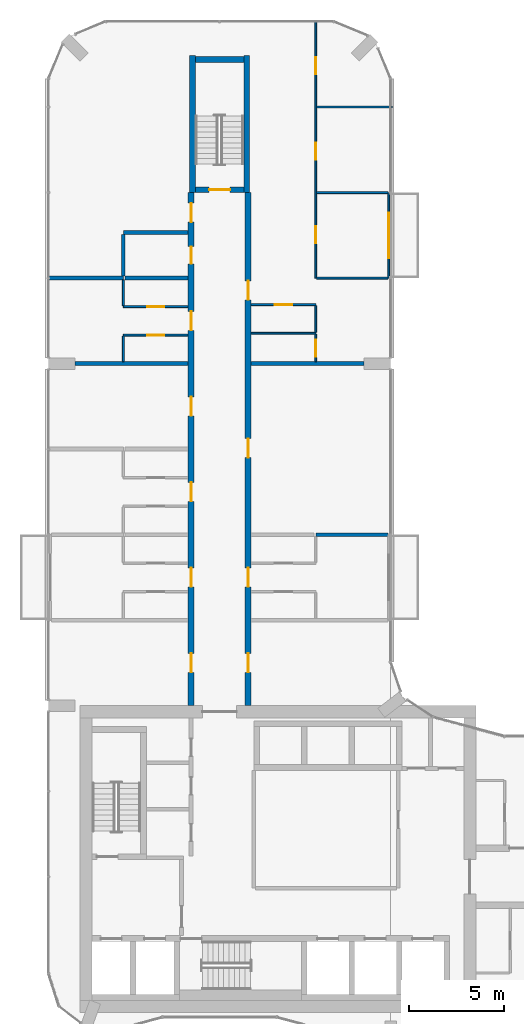
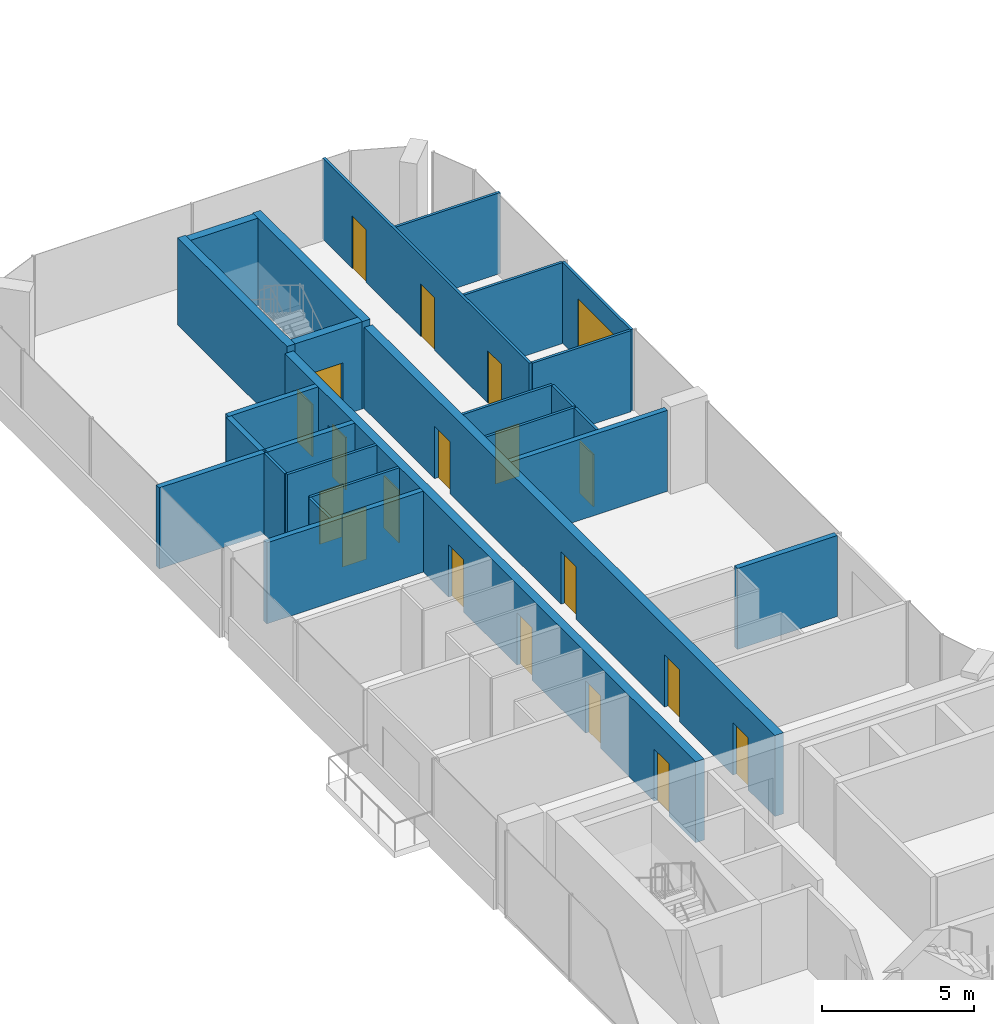
# One storey, part 16 of 22: 26 walls, 20 doors, 20 openings.
"""IFC4 building model written with IfcOpenShell, lengths in metres."""

from ifc_helpers import new_model, si_unit, direction, frame, frame_2d, origin, place, context, subcontext, project, spatial, rectangle, extrude, material, layer, layer_set, type_object, element, fill, save


model = new_model("IFC4")

# Units and contexts
model_context = context("Model", 3, precision=1e-05, world=origin(), true_north=direction((0.0, 1.0)))
body_context = subcontext(model_context, "Body", "Model", "MODEL_VIEW")
ifc_project = project(units=[si_unit("LENGTHUNIT", "METRE"), si_unit("AREAUNIT", "SQUARE_METRE"), si_unit("VOLUMEUNIT", "CUBIC_METRE"), si_unit("PLANEANGLEUNIT", "RADIAN"), si_unit("MASSUNIT", "GRAM", prefix="KILO")], contexts=[model_context])

# Site, building, storey
site_placement = place(None, origin())
site = spatial("IfcSite", under=ifc_project, at=site_placement, CompositionType="ELEMENT")
building_placement = place(site_placement, origin())
building = spatial("IfcBuilding", under=site, at=building_placement, Name="Plateau Cross Towers", CompositionType="ELEMENT")
storey_placement = place(building_placement, frame((0.0, 0.0, 106.300048828125)))
storey = spatial("IfcBuildingStorey", under=building, at=storey_placement, Name="L27", CompositionType="ELEMENT", Elevation=106.300048828125)

# Wall, opening, door
ifc_material_1 = material(Name="Aluminium framed glazing", Category="aluminium")
ifc_layer_1 = layer(ifc_material_1, 0.10009765625)
ifc_layer_set_1 = layer_set([ifc_layer_1], Name="Aluminium framed glazing")
wall_type_1 = type_object("IfcWallType", Name="Balcony screen wall 100", PredefinedType="STANDARD", material=ifc_layer_set_1)
wall_1_placement = place(storey_placement, frame((17.89990234375, 45.0, 0.0), z_axis=(0.0, 0.0, 1.0), x_axis=(0.0, -1.0, 0.0)))
wall_1 = element("IfcWall", 1, at=wall_1_placement, inside=storey, type_object=wall_type_1, Name="Balcony screen wall A-BAL-L27-03", PredefinedType="STANDARD", context=body_context, shape_type="SweptSolid", body=[
    extrude(rectangle(XDim=4.5, YDim=0.10009765625, at=frame_2d((2.25, 0.0))), origin(), (0.0, 0.0, 1.0), 3.25),
])
opening_1_placement = place(wall_1_placement, frame((1.050048828125, 0.0, 0.0)))
opening_1 = element("IfcOpeningElement", 2, at=opening_1_placement, cuts=wall_1, Name="Opening D-B24", PredefinedType="OPENING", context=body_context, shape_type="SweptSolid", body=[
    extrude(rectangle(XDim=2.39990234375, YDim=2.39990234375, at=frame_2d((1.199951171875, 1.199951171875))), frame((0.0, 0.06005859375, 0.0), z_axis=(0.0, -1.0, 0.0), x_axis=(1.0, 0.0, 0.0)), (0.0, 0.0, 1.0), 0.1201171875),
])
ifc_material_2 = material(Name="Aluminium frame, double glazing", Category="aluminium")
door_type_1 = type_object("IfcDoorType", Name="Balcony sliding door 2400", OperationType="NOTDEFINED", PredefinedType="DOOR", material=ifc_material_2)
door_1_placement = place(opening_1_placement, origin())
door_1 = element("IfcDoor", 3, at=door_1_placement, inside=storey, type_object=door_type_1, Name="Balcony door A-BAL-L27-03", OperationType="SINGLE_SWING_LEFT", OverallHeight=2.39990234375, OverallWidth=2.39990234375, PredefinedType="DOOR", context=body_context, shape_type="SweptSolid", body=[
    extrude(rectangle(XDim=2.39990234375, YDim=2.39990234375, at=frame_2d((1.199951171875, 1.199951171875))), frame((0.0, 0.02490234375, 0.0), z_axis=(0.0, -1.0, 0.0), x_axis=(1.0, 0.0, 0.0)), (0.0, 0.0, 1.0), 0.050048828125),
])
fill(opening_1, door_1)

# Wall, openings, doors
ifc_material_3 = material(Name="Concrete C60/75", Category="concrete")
ifc_layer_2 = layer(ifc_material_3, 0.324951171875)
ifc_layer_set_2 = layer_set([ifc_layer_2], Name="Concrete C60/75")
wall_type_2 = type_object("IfcWallType", Name="Corridor wall 325", PredefinedType="SHEAR", material=ifc_layer_set_2)
wall_2_placement = place(storey_placement, frame((7.5, 18.0, 0.0), z_axis=(0.0, 0.0, 1.0), x_axis=(0.0, 1.0, 0.0)))
wall_2 = element("IfcWall", 4, at=wall_2_placement, inside=storey, type_object=wall_type_2, Name="A-cw-W1@L27", PredefinedType="SHEAR", context=body_context, shape_type="SweptSolid", body=[
    extrude(rectangle(XDim=27.0, YDim=0.324951171875, at=frame_2d((13.5, 0.0))), origin(), (0.0, 0.0, 1.0), 3.25),
])
opening_2_placement = place(wall_2_placement, frame((1.75, 0.0, 0.0)))
opening_2 = element("IfcOpeningElement", 5, at=opening_2_placement, cuts=wall_2, Name="Opening 27-10", PredefinedType="OPENING", context=body_context, shape_type="SweptSolid", body=[
    extrude(rectangle(XDim=1.0, YDim=2.10009765625, at=frame_2d((0.5, 1.050048828125))), frame((0.0, 0.17236328125, 0.0), z_axis=(0.0, -1.0, 0.0), x_axis=(1.0, 0.0, 0.0)), (0.0, 0.0, 1.0), 0.344970703125),
])
opening_3_placement = place(wall_2_placement, frame((6.25, 0.0, 0.0)))
opening_3 = element("IfcOpeningElement", 6, at=opening_3_placement, cuts=wall_2, Name="Opening 27-11", PredefinedType="OPENING", context=body_context, shape_type="SweptSolid", body=[
    extrude(rectangle(XDim=1.0, YDim=2.10009765625, at=frame_2d((0.5, 1.050048828125))), frame((0.0, 0.17236328125, 0.0), z_axis=(0.0, -1.0, 0.0), x_axis=(1.0, 0.0, 0.0)), (0.0, 0.0, 1.0), 0.344970703125),
])
opening_4_placement = place(wall_2_placement, frame((10.75, 0.0, 0.0)))
opening_4 = element("IfcOpeningElement", 7, at=opening_4_placement, cuts=wall_2, Name="Opening 27-12", PredefinedType="OPENING", context=body_context, shape_type="SweptSolid", body=[
    extrude(rectangle(XDim=1.0, YDim=2.10009765625, at=frame_2d((0.5, 1.050048828125))), frame((0.0, 0.17236328125, 0.0), z_axis=(0.0, -1.0, 0.0), x_axis=(1.0, 0.0, 0.0)), (0.0, 0.0, 1.0), 0.344970703125),
])
opening_5_placement = place(wall_2_placement, frame((15.25, 0.0, 0.0)))
opening_5 = element("IfcOpeningElement", 8, at=opening_5_placement, cuts=wall_2, Name="Opening 27-13", PredefinedType="OPENING", context=body_context, shape_type="SweptSolid", body=[
    extrude(rectangle(XDim=1.0, YDim=2.10009765625, at=frame_2d((0.5, 1.050048828125))), frame((0.0, 0.17236328125, 0.0), z_axis=(0.0, -1.0, 0.0), x_axis=(1.0, 0.0, 0.0)), (0.0, 0.0, 1.0), 0.344970703125),
])
opening_6_placement = place(wall_2_placement, frame((19.75, 0.0, 0.0)))
opening_6 = element("IfcOpeningElement", 9, at=opening_6_placement, cuts=wall_2, Name="Opening 27-14", PredefinedType="OPENING", context=body_context, shape_type="SweptSolid", body=[
    extrude(rectangle(XDim=1.0, YDim=2.10009765625, at=frame_2d((0.5, 1.050048828125))), frame((0.0, 0.17236328125, 0.0), z_axis=(0.0, -1.0, 0.0), x_axis=(1.0, 0.0, 0.0)), (0.0, 0.0, 1.0), 0.344970703125),
])
opening_7_placement = place(wall_2_placement, frame((23.25, 0.0, 0.0)))
opening_7 = element("IfcOpeningElement", 10, at=opening_7_placement, cuts=wall_2, Name="Opening 27-15", PredefinedType="OPENING", context=body_context, shape_type="SweptSolid", body=[
    extrude(rectangle(XDim=0.89990234375, YDim=2.10009765625, at=frame_2d((0.449951171875, 1.050048828125))), frame((0.0, 0.17236328125, 0.0), z_axis=(0.0, -1.0, 0.0), x_axis=(1.0, 0.0, 0.0)), (0.0, 0.0, 1.0), 0.344970703125),
])
opening_8_placement = place(wall_2_placement, frame((25.449951171875, 0.0, 0.0)))
opening_8 = element("IfcOpeningElement", 11, at=opening_8_placement, cuts=wall_2, Name="Opening 27-16", PredefinedType="OPENING", context=body_context, shape_type="SweptSolid", body=[
    extrude(rectangle(XDim=1.0, YDim=2.10009765625, at=frame_2d((0.5, 1.050048828125))), frame((0.0, 0.17236328125, 0.0), z_axis=(0.0, -1.0, 0.0), x_axis=(1.0, 0.0, 0.0)), (0.0, 0.0, 1.0), 0.344970703125),
])
ifc_material_4 = material(Name="Timber, fire-resisting leaf", Category="wood")
door_type_2 = type_object("IfcDoorType", Name="Flat entrance door 1000", OperationType="NOTDEFINED", PredefinedType="DOOR", material=ifc_material_4)
door_2_placement = place(opening_2_placement, origin())
door_2 = element("IfcDoor", 12, at=door_2_placement, inside=storey, type_object=door_type_2, Name="Door 27-10", OperationType="SINGLE_SWING_LEFT", OverallHeight=2.10009765625, OverallWidth=1.0, PredefinedType="DOOR", context=body_context, shape_type="SweptSolid", body=[
    extrude(rectangle(XDim=1.0, YDim=2.10009765625, at=frame_2d((0.5, 1.050048828125))), frame((0.0, 0.02490234375, 0.0), z_axis=(0.0, -1.0, 0.0), x_axis=(1.0, 0.0, 0.0)), (0.0, 0.0, 1.0), 0.050048828125),
])
fill(opening_2, door_2)
door_3_placement = place(opening_3_placement, origin())
door_3 = element("IfcDoor", 13, at=door_3_placement, inside=storey, type_object=door_type_2, Name="Door 27-11", OperationType="SINGLE_SWING_LEFT", OverallHeight=2.10009765625, OverallWidth=1.0, PredefinedType="DOOR", context=body_context, shape_type="SweptSolid", body=[
    extrude(rectangle(XDim=1.0, YDim=2.10009765625, at=frame_2d((0.5, 1.050048828125))), frame((0.0, 0.02490234375, 0.0), z_axis=(0.0, -1.0, 0.0), x_axis=(1.0, 0.0, 0.0)), (0.0, 0.0, 1.0), 0.050048828125),
])
fill(opening_3, door_3)
door_4_placement = place(opening_4_placement, origin())
door_4 = element("IfcDoor", 14, at=door_4_placement, inside=storey, type_object=door_type_2, Name="Door 27-12", OperationType="SINGLE_SWING_LEFT", OverallHeight=2.10009765625, OverallWidth=1.0, PredefinedType="DOOR", context=body_context, shape_type="SweptSolid", body=[
    extrude(rectangle(XDim=1.0, YDim=2.10009765625, at=frame_2d((0.5, 1.050048828125))), frame((0.0, 0.02490234375, 0.0), z_axis=(0.0, -1.0, 0.0), x_axis=(1.0, 0.0, 0.0)), (0.0, 0.0, 1.0), 0.050048828125),
])
fill(opening_4, door_4)
door_5_placement = place(opening_5_placement, origin())
door_5 = element("IfcDoor", 15, at=door_5_placement, inside=storey, type_object=door_type_2, Name="Door 27-13", OperationType="SINGLE_SWING_RIGHT", OverallHeight=2.10009765625, OverallWidth=1.0, PredefinedType="DOOR", context=body_context, shape_type="SweptSolid", body=[
    extrude(rectangle(XDim=1.0, YDim=2.10009765625, at=frame_2d((0.5, 1.050048828125))), frame((0.0, 0.02490234375, 0.0), z_axis=(0.0, -1.0, 0.0), x_axis=(1.0, 0.0, 0.0)), (0.0, 0.0, 1.0), 0.050048828125),
])
fill(opening_5, door_5)
door_6_placement = place(opening_6_placement, origin())
door_6 = element("IfcDoor", 16, at=door_6_placement, inside=storey, type_object=door_type_2, Name="Door 27-14", OperationType="SINGLE_SWING_RIGHT", OverallHeight=2.10009765625, OverallWidth=1.0, PredefinedType="DOOR", context=body_context, shape_type="SweptSolid", body=[
    extrude(rectangle(XDim=1.0, YDim=2.10009765625, at=frame_2d((0.5, 1.050048828125))), frame((0.0, 0.02490234375, 0.0), z_axis=(0.0, -1.0, 0.0), x_axis=(1.0, 0.0, 0.0)), (0.0, 0.0, 1.0), 0.050048828125),
])
fill(opening_6, door_6)
door_7_placement = place(opening_8_placement, origin())
door_7 = element("IfcDoor", 17, at=door_7_placement, inside=storey, type_object=door_type_2, Name="Door 27-16", OperationType="SINGLE_SWING_RIGHT", OverallHeight=2.10009765625, OverallWidth=1.0, PredefinedType="DOOR", context=body_context, shape_type="SweptSolid", body=[
    extrude(rectangle(XDim=1.0, YDim=2.10009765625, at=frame_2d((0.5, 1.050048828125))), frame((0.0, 0.02490234375, 0.0), z_axis=(0.0, -1.0, 0.0), x_axis=(1.0, 0.0, 0.0)), (0.0, 0.0, 1.0), 0.050048828125),
])
fill(opening_8, door_7)
door_type_3 = type_object("IfcDoorType", Name="Flat floor service door 900", OperationType="NOTDEFINED", PredefinedType="DOOR", material=ifc_material_4)
door_8_placement = place(opening_7_placement, origin())
door_8 = element("IfcDoor", 18, at=door_8_placement, inside=storey, type_object=door_type_3, Name="Door 27-15", OperationType="SINGLE_SWING_RIGHT", OverallHeight=2.10009765625, OverallWidth=0.89990234375, PredefinedType="DOOR", context=body_context, shape_type="SweptSolid", body=[
    extrude(rectangle(XDim=0.89990234375, YDim=2.10009765625, at=frame_2d((0.449951171875, 1.050048828125))), frame((0.0, 0.02490234375, 0.0), z_axis=(0.0, -1.0, 0.0), x_axis=(1.0, 0.0, 0.0)), (0.0, 0.0, 1.0), 0.050048828125),
])
fill(opening_7, door_8)

wall_3_placement = place(storey_placement, frame((10.5, 18.0, 0.0), z_axis=(0.0, 0.0, 1.0), x_axis=(0.0, 1.0, 0.0)))
wall_3 = element("IfcWall", 19, at=wall_3_placement, inside=storey, type_object=wall_type_2, Name="A-cw-W2@L27", PredefinedType="SHEAR", context=body_context, shape_type="SweptSolid", body=[
    extrude(rectangle(XDim=27.0, YDim=0.324951171875, at=frame_2d((13.5, 0.0))), origin(), (0.0, 0.0, 1.0), 3.25),
])
opening_9_placement = place(wall_3_placement, frame((1.75, 0.0, 0.0)))
opening_9 = element("IfcOpeningElement", 20, at=opening_9_placement, cuts=wall_3, Name="Opening 27-17", PredefinedType="OPENING", context=body_context, shape_type="SweptSolid", body=[
    extrude(rectangle(XDim=1.0, YDim=2.10009765625, at=frame_2d((0.5, 1.050048828125))), frame((0.0, 0.17236328125, 0.0), z_axis=(0.0, -1.0, 0.0), x_axis=(1.0, 0.0, 0.0)), (0.0, 0.0, 1.0), 0.344970703125),
])
opening_10_placement = place(wall_3_placement, frame((6.25, 0.0, 0.0)))
opening_10 = element("IfcOpeningElement", 21, at=opening_10_placement, cuts=wall_3, Name="Opening 27-18", PredefinedType="OPENING", context=body_context, shape_type="SweptSolid", body=[
    extrude(rectangle(XDim=1.0, YDim=2.10009765625, at=frame_2d((0.5, 1.050048828125))), frame((0.0, 0.17236328125, 0.0), z_axis=(0.0, -1.0, 0.0), x_axis=(1.0, 0.0, 0.0)), (0.0, 0.0, 1.0), 0.344970703125),
])
opening_11_placement = place(wall_3_placement, frame((13.050048828125, 0.0, 0.0)))
opening_11 = element("IfcOpeningElement", 22, at=opening_11_placement, cuts=wall_3, Name="Opening 27-19", PredefinedType="OPENING", context=body_context, shape_type="SweptSolid", body=[
    extrude(rectangle(XDim=1.0, YDim=2.10009765625, at=frame_2d((0.5, 1.050048828125))), frame((0.0, 0.17236328125, 0.0), z_axis=(0.0, -1.0, 0.0), x_axis=(1.0, 0.0, 0.0)), (0.0, 0.0, 1.0), 0.344970703125),
])
opening_12_placement = place(wall_3_placement, frame((21.35009765625, 0.0, 0.0)))
opening_12 = element("IfcOpeningElement", 23, at=opening_12_placement, cuts=wall_3, Name="Opening 27-20", PredefinedType="OPENING", context=body_context, shape_type="SweptSolid", body=[
    extrude(rectangle(XDim=1.0, YDim=2.10009765625, at=frame_2d((0.5, 1.050048828125))), frame((0.0, 0.17236328125, 0.0), z_axis=(0.0, -1.0, 0.0), x_axis=(1.0, 0.0, 0.0)), (0.0, 0.0, 1.0), 0.344970703125),
])
door_9_placement = place(opening_9_placement, origin())
door_9 = element("IfcDoor", 24, at=door_9_placement, inside=storey, type_object=door_type_2, Name="Door 27-17", OperationType="SINGLE_SWING_LEFT", OverallHeight=2.10009765625, OverallWidth=1.0, PredefinedType="DOOR", context=body_context, shape_type="SweptSolid", body=[
    extrude(rectangle(XDim=1.0, YDim=2.10009765625, at=frame_2d((0.5, 1.050048828125))), frame((0.0, 0.02490234375, 0.0), z_axis=(0.0, -1.0, 0.0), x_axis=(1.0, 0.0, 0.0)), (0.0, 0.0, 1.0), 0.050048828125),
])
fill(opening_9, door_9)
door_10_placement = place(opening_10_placement, origin())
door_10 = element("IfcDoor", 25, at=door_10_placement, inside=storey, type_object=door_type_2, Name="Door 27-18", OperationType="SINGLE_SWING_LEFT", OverallHeight=2.10009765625, OverallWidth=1.0, PredefinedType="DOOR", context=body_context, shape_type="SweptSolid", body=[
    extrude(rectangle(XDim=1.0, YDim=2.10009765625, at=frame_2d((0.5, 1.050048828125))), frame((0.0, 0.02490234375, 0.0), z_axis=(0.0, -1.0, 0.0), x_axis=(1.0, 0.0, 0.0)), (0.0, 0.0, 1.0), 0.050048828125),
])
fill(opening_10, door_10)
door_11_placement = place(opening_11_placement, origin())
door_11 = element("IfcDoor", 26, at=door_11_placement, inside=storey, type_object=door_type_2, Name="Door 27-19", OperationType="SINGLE_SWING_RIGHT", OverallHeight=2.10009765625, OverallWidth=1.0, PredefinedType="DOOR", context=body_context, shape_type="SweptSolid", body=[
    extrude(rectangle(XDim=1.0, YDim=2.10009765625, at=frame_2d((0.5, 1.050048828125))), frame((0.0, 0.02490234375, 0.0), z_axis=(0.0, -1.0, 0.0), x_axis=(1.0, 0.0, 0.0)), (0.0, 0.0, 1.0), 0.050048828125),
])
fill(opening_11, door_11)
door_12_placement = place(opening_12_placement, origin())
door_12 = element("IfcDoor", 27, at=door_12_placement, inside=storey, type_object=door_type_2, Name="Door 27-20", OperationType="SINGLE_SWING_RIGHT", OverallHeight=2.10009765625, OverallWidth=1.0, PredefinedType="DOOR", context=body_context, shape_type="SweptSolid", body=[
    extrude(rectangle(XDim=1.0, YDim=2.10009765625, at=frame_2d((0.5, 1.050048828125))), frame((0.0, 0.02490234375, 0.0), z_axis=(0.0, -1.0, 0.0), x_axis=(1.0, 0.0, 0.0)), (0.0, 0.0, 1.0), 0.050048828125),
])
fill(opening_12, door_12)

# Wall, opening, door
ifc_material_5 = material(Name="Gypsum board on steel studs", Category="steel")
ifc_layer_3 = layer(ifc_material_5, 0.10009765625)
ifc_layer_set_3 = layer_set([ifc_layer_3], Name="Gypsum board on steel studs")
wall_type_3 = type_object("IfcWallType", Name="Flat partition 100", PredefinedType="PARTITIONING", material=ifc_layer_set_3)
wall_4_placement = place(storey_placement, frame((7.33740234375, 37.5, 0.0), z_axis=(0.0, 0.0, 1.0), x_axis=(-1.0, 0.0, 0.0)))
wall_4 = element("IfcWall", 28, at=wall_4_placement, inside=storey, type_object=wall_type_3, Name="Partition wall", PredefinedType="PARTITIONING", context=body_context, shape_type="SweptSolid", body=[
    extrude(rectangle(XDim=3.39990234375, YDim=0.10009765625, at=frame_2d((1.699951171875, 0.0))), origin(), (0.0, 0.0, 1.0), 3.25),
])
opening_13_placement = place(wall_4_placement, frame((1.25, 0.0, 0.0)))
opening_13 = element("IfcOpeningElement", 29, at=opening_13_placement, cuts=wall_4, Name="Opening 27-39", PredefinedType="OPENING", context=body_context, shape_type="SweptSolid", body=[
    extrude(rectangle(XDim=0.89990234375, YDim=2.10009765625, at=frame_2d((0.449951171875, 1.050048828125))), frame((0.0, 0.06005859375, 0.0), z_axis=(0.0, -1.0, 0.0), x_axis=(1.0, 0.0, 0.0)), (0.0, 0.0, 1.0), 0.1201171875),
])
ifc_material_6 = material(Name="Timber leaf", Category="wood")
door_type_4 = type_object("IfcDoorType", Name="Flat room door 900", OperationType="NOTDEFINED", PredefinedType="DOOR", material=ifc_material_6)
door_13_placement = place(opening_13_placement, origin())
door_13 = element("IfcDoor", 30, at=door_13_placement, inside=storey, type_object=door_type_4, Name="Door 27-39", OperationType="SINGLE_SWING_LEFT", OverallHeight=2.10009765625, OverallWidth=0.89990234375, PredefinedType="DOOR", context=body_context, shape_type="SweptSolid", body=[
    extrude(rectangle(XDim=0.89990234375, YDim=2.10009765625, at=frame_2d((0.449951171875, 1.050048828125))), frame((0.0, 0.02490234375, 0.0), z_axis=(0.0, -1.0, 0.0), x_axis=(1.0, 0.0, 0.0)), (0.0, 0.0, 1.0), 0.050048828125),
])
fill(opening_13, door_13)

# Wall
wall_5_placement = place(storey_placement, frame((14.0625, 37.60009765625, 0.0), z_axis=(0.0, 0.0, 1.0), x_axis=(-1.0, 0.0, 0.0)))
element("IfcWall", 31, at=wall_5_placement, inside=storey, type_object=wall_type_3, Name="Partition wall", PredefinedType="PARTITIONING", context=body_context, shape_type="SweptSolid", body=[
    extrude(rectangle(XDim=3.39990234375, YDim=0.10009765625, at=frame_2d((1.699951171875, 0.0))), origin(), (0.0, 0.0, 1.0), 3.25),
])

# Wall, opening, door
wall_6_placement = place(storey_placement, frame((3.9375, 39.0, 0.0), z_axis=(0.0, 0.0, 1.0), x_axis=(1.0, 0.0, 0.0)))
wall_6 = element("IfcWall", 32, at=wall_6_placement, inside=storey, type_object=wall_type_3, Name="Partition wall", PredefinedType="PARTITIONING", context=body_context, shape_type="SweptSolid", body=[
    extrude(rectangle(XDim=3.39990234375, YDim=0.10009765625, at=frame_2d((1.699951171875, 0.0))), origin(), (0.0, 0.0, 1.0), 3.25),
])
opening_14_placement = place(wall_6_placement, frame((1.25, 0.0, 0.0)))
opening_14 = element("IfcOpeningElement", 33, at=opening_14_placement, cuts=wall_6, Name="Opening 27-40", PredefinedType="OPENING", context=body_context, shape_type="SweptSolid", body=[
    extrude(rectangle(XDim=0.89990234375, YDim=2.10009765625, at=frame_2d((0.449951171875, 1.050048828125))), frame((0.0, 0.06005859375, 0.0), z_axis=(0.0, -1.0, 0.0), x_axis=(1.0, 0.0, 0.0)), (0.0, 0.0, 1.0), 0.1201171875),
])
door_14_placement = place(opening_14_placement, origin())
door_14 = element("IfcDoor", 34, at=door_14_placement, inside=storey, type_object=door_type_4, Name="Door 27-40", OperationType="SINGLE_SWING_LEFT", OverallHeight=2.10009765625, OverallWidth=0.89990234375, PredefinedType="DOOR", context=body_context, shape_type="SweptSolid", body=[
    extrude(rectangle(XDim=0.89990234375, YDim=2.10009765625, at=frame_2d((0.449951171875, 1.050048828125))), frame((0.0, 0.02490234375, 0.0), z_axis=(0.0, -1.0, 0.0), x_axis=(1.0, 0.0, 0.0)), (0.0, 0.0, 1.0), 0.050048828125),
])
fill(opening_14, door_14)

wall_7_placement = place(storey_placement, frame((14.0625, 39.10009765625, 0.0), z_axis=(0.0, 0.0, 1.0), x_axis=(-1.0, 0.0, 0.0)))
wall_7 = element("IfcWall", 35, at=wall_7_placement, inside=storey, type_object=wall_type_3, Name="Partition wall", PredefinedType="PARTITIONING", context=body_context, shape_type="SweptSolid", body=[
    extrude(rectangle(XDim=3.39990234375, YDim=0.10009765625, at=frame_2d((1.699951171875, 0.0))), origin(), (0.0, 0.0, 1.0), 3.25),
])
opening_15_placement = place(wall_7_placement, frame((1.25, 0.0, 0.0)))
opening_15 = element("IfcOpeningElement", 36, at=opening_15_placement, cuts=wall_7, Name="Opening 27-44", PredefinedType="OPENING", context=body_context, shape_type="SweptSolid", body=[
    extrude(rectangle(XDim=0.89990234375, YDim=2.10009765625, at=frame_2d((0.449951171875, 1.050048828125))), frame((0.0, 0.06005859375, 0.0), z_axis=(0.0, -1.0, 0.0), x_axis=(1.0, 0.0, 0.0)), (0.0, 0.0, 1.0), 0.1201171875),
])
door_15_placement = place(opening_15_placement, origin())
door_15 = element("IfcDoor", 37, at=door_15_placement, inside=storey, type_object=door_type_4, Name="Door 27-44", OperationType="SINGLE_SWING_LEFT", OverallHeight=2.10009765625, OverallWidth=0.89990234375, PredefinedType="DOOR", context=body_context, shape_type="SweptSolid", body=[
    extrude(rectangle(XDim=0.89990234375, YDim=2.10009765625, at=frame_2d((0.449951171875, 1.050048828125))), frame((0.0, 0.02490234375, 0.0), z_axis=(0.0, -1.0, 0.0), x_axis=(1.0, 0.0, 0.0)), (0.0, 0.0, 1.0), 0.050048828125),
])
fill(opening_15, door_15)

# Walls
for number, where, z_axis, x_axis, name in (
    (38, (14.112548828125, 40.5, 0.0), (0.0, 0.0, 1.0), (1.0, 0.0, 0.0), "Partition wall"),
    (39, (17.85009765625, 45.0, 0.0), (0.0, 0.0, 1.0), (-1.0, 0.0, 0.0), "Partition wall"),
):
    element("IfcWall", number, at=place(storey_placement, frame(where, z_axis=z_axis, x_axis=x_axis)), inside=storey, type_object=wall_type_3, Name=name, PredefinedType="PARTITIONING", context=body_context, shape_type="SweptSolid", body=[
        extrude(rectangle(XDim=3.737548828125, YDim=0.10009765625, at=frame_2d((1.86865234375, 0.0))), origin(), (0.0, 0.0, 1.0), 3.25),
    ])
wall_8_placement = place(storey_placement, frame((18.080078125, 49.5, 0.0), z_axis=(0.0, 0.0, 1.0), x_axis=(-1.0, 0.0, 0.0)))
element("IfcWall", 40, at=wall_8_placement, inside=storey, type_object=wall_type_3, Name="Partition wall", PredefinedType="PARTITIONING", context=body_context, shape_type="SweptSolid", body=[
    extrude(rectangle(XDim=3.967529296875, YDim=0.10009765625, at=frame_2d((1.98388671875, 0.0))), origin(), (0.0, 0.0, 1.0), 3.25),
])
for number, where, z_axis, x_axis, name in (
    (41, (3.9375, 37.449951171875, 0.0), (0.0, 0.0, 1.0), (0.0, -1.0, 0.0), "Partition wall"),
    (42, (3.9375, 40.39990234375, 0.0), (0.0, 0.0, 1.0), (0.0, -1.0, 0.0), "Partition wall"),
):
    element("IfcWall", number, at=place(storey_placement, frame(where, z_axis=z_axis, x_axis=x_axis)), inside=storey, type_object=wall_type_3, Name=name, PredefinedType="PARTITIONING", context=body_context, shape_type="SweptSolid", body=[
        extrude(rectangle(XDim=1.349853515625, YDim=0.10009765625, at=frame_2d((0.6748046875, 0.0))), origin(), (0.0, 0.0, 1.0), 3.25),
    ])

# Wall, openings, doors
wall_9_placement = place(storey_placement, frame((14.0625, 54.080078125, 0.0), z_axis=(0.0, 0.0, 1.0), x_axis=(0.0, -1.0, 0.0)))
wall_9 = element("IfcWall", 43, at=wall_9_placement, inside=storey, type_object=wall_type_3, Name="Partition wall", PredefinedType="PARTITIONING", context=body_context, shape_type="SweptSolid", body=[
    extrude(rectangle(XDim=13.580078125, YDim=0.10009765625, at=frame_2d((6.7900390625, 0.0))), origin(), (0.0, 0.0, 1.0), 3.25),
])
opening_16_placement = place(wall_9_placement, frame((10.85009765625, 0.0, 0.0)))
opening_16 = element("IfcOpeningElement", 44, at=opening_16_placement, cuts=wall_9, Name="Opening 27-45", PredefinedType="OPENING", context=body_context, shape_type="SweptSolid", body=[
    extrude(rectangle(XDim=0.89990234375, YDim=2.10009765625, at=frame_2d((0.449951171875, 1.050048828125))), frame((0.0, 0.06005859375, 0.0), z_axis=(0.0, -1.0, 0.0), x_axis=(1.0, 0.0, 0.0)), (0.0, 0.0, 1.0), 0.1201171875),
])
opening_17_placement = place(wall_9_placement, frame((6.449951171875, 0.0, 0.0)))
opening_17 = element("IfcOpeningElement", 45, at=opening_17_placement, cuts=wall_9, Name="Opening 27-46", PredefinedType="OPENING", context=body_context, shape_type="SweptSolid", body=[
    extrude(rectangle(XDim=0.89990234375, YDim=2.10009765625, at=frame_2d((0.449951171875, 1.050048828125))), frame((0.0, 0.06005859375, 0.0), z_axis=(0.0, -1.0, 0.0), x_axis=(1.0, 0.0, 0.0)), (0.0, 0.0, 1.0), 0.1201171875),
])
opening_18_placement = place(wall_9_placement, frame((1.949951171875, 0.0, 0.0)))
opening_18 = element("IfcOpeningElement", 46, at=opening_18_placement, cuts=wall_9, Name="Opening 27-47", PredefinedType="OPENING", context=body_context, shape_type="SweptSolid", body=[
    extrude(rectangle(XDim=0.89990234375, YDim=2.10009765625, at=frame_2d((0.449951171875, 1.050048828125))), frame((0.0, 0.06005859375, 0.0), z_axis=(0.0, -1.0, 0.0), x_axis=(1.0, 0.0, 0.0)), (0.0, 0.0, 1.0), 0.1201171875),
])
door_16_placement = place(opening_16_placement, origin())
door_16 = element("IfcDoor", 47, at=door_16_placement, inside=storey, type_object=door_type_4, Name="Door 27-45", OperationType="SINGLE_SWING_RIGHT", OverallHeight=2.10009765625, OverallWidth=0.89990234375, PredefinedType="DOOR", context=body_context, shape_type="SweptSolid", body=[
    extrude(rectangle(XDim=0.89990234375, YDim=2.10009765625, at=frame_2d((0.449951171875, 1.050048828125))), frame((0.0, 0.02490234375, 0.0), z_axis=(0.0, -1.0, 0.0), x_axis=(1.0, 0.0, 0.0)), (0.0, 0.0, 1.0), 0.050048828125),
])
fill(opening_16, door_16)
door_17_placement = place(opening_17_placement, origin())
door_17 = element("IfcDoor", 48, at=door_17_placement, inside=storey, type_object=door_type_4, Name="Door 27-46", OperationType="SINGLE_SWING_RIGHT", OverallHeight=2.10009765625, OverallWidth=0.89990234375, PredefinedType="DOOR", context=body_context, shape_type="SweptSolid", body=[
    extrude(rectangle(XDim=0.89990234375, YDim=2.10009765625, at=frame_2d((0.449951171875, 1.050048828125))), frame((0.0, 0.02490234375, 0.0), z_axis=(0.0, -1.0, 0.0), x_axis=(1.0, 0.0, 0.0)), (0.0, 0.0, 1.0), 0.050048828125),
])
fill(opening_17, door_17)
door_18_placement = place(opening_18_placement, origin())
door_18 = element("IfcDoor", 49, at=door_18_placement, inside=storey, type_object=door_type_4, Name="Door 27-47", OperationType="SINGLE_SWING_LEFT", OverallHeight=2.10009765625, OverallWidth=0.89990234375, PredefinedType="DOOR", context=body_context, shape_type="SweptSolid", body=[
    extrude(rectangle(XDim=0.89990234375, YDim=2.10009765625, at=frame_2d((0.449951171875, 1.050048828125))), frame((0.0, 0.02490234375, 0.0), z_axis=(0.0, -1.0, 0.0), x_axis=(1.0, 0.0, 0.0)), (0.0, 0.0, 1.0), 0.050048828125),
])
fill(opening_18, door_18)

# Wall, opening, door
wall_10_placement = place(storey_placement, frame((14.0625, 36.10009765625, 0.0), z_axis=(0.0, 0.0, 1.0), x_axis=(0.0, 1.0, 0.0)))
wall_10 = element("IfcWall", 50, at=wall_10_placement, inside=storey, type_object=wall_type_3, Name="Partition wall", PredefinedType="PARTITIONING", context=body_context, shape_type="SweptSolid", body=[
    extrude(rectangle(XDim=1.449951171875, YDim=0.10009765625, at=frame_2d((0.72509765625, 0.0))), origin(), (0.0, 0.0, 1.0), 3.25),
])
opening_19_placement = place(wall_10_placement, frame((0.25, 0.0, 0.0)))
opening_19 = element("IfcOpeningElement", 51, at=opening_19_placement, cuts=wall_10, Name="Opening 27-43", PredefinedType="OPENING", context=body_context, shape_type="SweptSolid", body=[
    extrude(rectangle(XDim=0.89990234375, YDim=2.10009765625, at=frame_2d((0.449951171875, 1.050048828125))), frame((0.0, 0.06005859375, 0.0), z_axis=(0.0, -1.0, 0.0), x_axis=(1.0, 0.0, 0.0)), (0.0, 0.0, 1.0), 0.1201171875),
])
door_19_placement = place(opening_19_placement, origin())
door_19 = element("IfcDoor", 52, at=door_19_placement, inside=storey, type_object=door_type_4, Name="Door 27-43", OperationType="SINGLE_SWING_LEFT", OverallHeight=2.10009765625, OverallWidth=0.89990234375, PredefinedType="DOOR", context=body_context, shape_type="SweptSolid", body=[
    extrude(rectangle(XDim=0.89990234375, YDim=2.10009765625, at=frame_2d((0.449951171875, 1.050048828125))), frame((0.0, 0.02490234375, 0.0), z_axis=(0.0, -1.0, 0.0), x_axis=(1.0, 0.0, 0.0)), (0.0, 0.0, 1.0), 0.050048828125),
])
fill(opening_19, door_19)

# Walls
wall_11_placement = place(storey_placement, frame((14.0625, 37.64990234375, 0.0), z_axis=(0.0, 0.0, 1.0), x_axis=(0.0, 1.0, 0.0)))
element("IfcWall", 53, at=wall_11_placement, inside=storey, type_object=wall_type_3, Name="Partition wall", PredefinedType="PARTITIONING", context=body_context, shape_type="SweptSolid", body=[
    extrude(rectangle(XDim=1.400146484375, YDim=0.10009765625, at=frame_2d((0.7001953125, 0.0))), origin(), (0.0, 0.0, 1.0), 3.25),
])
ifc_material_7 = material(Name="Gypsum board on steel studs, two layers each side", Category="steel")
ifc_layer_4 = layer(ifc_material_7, 0.199951171875)
ifc_layer_set_4 = layer_set([ifc_layer_4], Name="Gypsum board on steel studs, two layers each side")
wall_type_4 = type_object("IfcWallType", Name="Flat party wall 200", PredefinedType="PARTITIONING", material=ifc_layer_set_4)
wall_12_placement = place(storey_placement, frame((14.0625, 27.0, 0.0), z_axis=(0.0, 0.0, 1.0), x_axis=(1.0, 0.0, 0.0)))
element("IfcWall", 54, at=wall_12_placement, inside=storey, type_object=wall_type_4, Name="Party wall", PredefinedType="PARTITIONING", context=body_context, shape_type="SweptSolid", body=[
    extrude(rectangle(XDim=3.78759765625, YDim=0.199951171875, at=frame_2d((1.893798828125, 0.0))), origin(), (0.0, 0.0, 1.0), 3.25),
])
for number, where, z_axis, x_axis, name in (
    (55, (7.33740234375, 36.0, 0.0), (0.0, 0.0, 1.0), (-1.0, 0.0, 0.0), "Party wall"),
    (56, (16.60009765625, 36.0, 0.0), (0.0, 0.0, 1.0), (-1.0, 0.0, 0.0), "Party wall"),
):
    element("IfcWall", number, at=place(storey_placement, frame(where, z_axis=z_axis, x_axis=x_axis)), inside=storey, type_object=wall_type_4, Name=name, PredefinedType="PARTITIONING", context=body_context, shape_type="SweptSolid", body=[
        extrude(rectangle(XDim=5.9375, YDim=0.199951171875, at=frame_2d((2.96875, 0.0))), origin(), (0.0, 0.0, 1.0), 3.25),
    ])
wall_13_placement = place(storey_placement, frame((7.33740234375, 40.5, 0.0), z_axis=(0.0, 0.0, 1.0), x_axis=(-1.0, 0.0, 0.0)))
element("IfcWall", 57, at=wall_13_placement, inside=storey, type_object=wall_type_4, Name="Party wall", PredefinedType="PARTITIONING", context=body_context, shape_type="SweptSolid", body=[
    extrude(rectangle(XDim=3.2998046875, YDim=0.199951171875, at=frame_2d((1.64990234375, 0.0))), origin(), (0.0, 0.0, 1.0), 3.25),
])
wall_14_placement = place(storey_placement, frame((-0.080078125, 40.5, 0.0), z_axis=(0.0, 0.0, 1.0), x_axis=(1.0, 0.0, 0.0)))
element("IfcWall", 58, at=wall_14_placement, inside=storey, type_object=wall_type_4, Name="Party wall", PredefinedType="PARTITIONING", context=body_context, shape_type="SweptSolid", body=[
    extrude(rectangle(XDim=4.017578125, YDim=0.199951171875, at=frame_2d((2.0087890625, 0.0))), origin(), (0.0, 0.0, 1.0), 3.25),
])
wall_15_placement = place(storey_placement, frame((7.33740234375, 42.89990234375, 0.0), z_axis=(0.0, 0.0, 1.0), x_axis=(-1.0, 0.0, 0.0)))
element("IfcWall", 59, at=wall_15_placement, inside=storey, type_object=wall_type_4, Name="Party wall", PredefinedType="PARTITIONING", context=body_context, shape_type="SweptSolid", body=[
    extrude(rectangle(XDim=3.39990234375, YDim=0.199951171875, at=frame_2d((1.699951171875, 0.0))), origin(), (0.0, 0.0, 1.0), 3.25),
])
wall_16_placement = place(storey_placement, frame((3.9375, 42.800048828125, 0.0), z_axis=(0.0, 0.0, 1.0), x_axis=(0.0, -1.0, 0.0)))
element("IfcWall", 60, at=wall_16_placement, inside=storey, type_object=wall_type_4, Name="Party wall", PredefinedType="PARTITIONING", context=body_context, shape_type="SweptSolid", body=[
    extrude(rectangle(XDim=2.199951171875, YDim=0.199951171875, at=frame_2d((1.10009765625, 0.0))), origin(), (0.0, 0.0, 1.0), 3.25),
])

# Wall, opening, door
ifc_layer_5 = layer(ifc_material_3, 0.300048828125)
ifc_layer_set_5 = layer_set([ifc_layer_5], Name="Concrete C60/75")
wall_type_5 = type_object("IfcWallType", Name="Stair tower wall 300", PredefinedType="SHEAR", material=ifc_layer_set_5)
wall_17_placement = place(storey_placement, frame((7.72509765625, 45.14990234375, 0.0), z_axis=(0.0, 0.0, 1.0), x_axis=(1.0, 0.0, 0.0)))
wall_17 = element("IfcWall", 61, at=wall_17_placement, inside=storey, type_object=wall_type_5, Name="A-end-N-S@L27", PredefinedType="SHEAR", context=body_context, shape_type="SweptSolid", body=[
    extrude(rectangle(XDim=2.5498046875, YDim=0.300048828125, at=frame_2d((1.27490234375, 0.0))), origin(), (0.0, 0.0, 1.0), 3.5),
])
opening_20_placement = place(wall_17_placement, frame((0.72509765625, 0.0, 0.0)))
opening_20 = element("IfcOpeningElement", 62, at=opening_20_placement, cuts=wall_17, Name="Opening SD", PredefinedType="OPENING", context=body_context, shape_type="SweptSolid", body=[
    extrude(rectangle(XDim=1.10009765625, YDim=2.10009765625, at=frame_2d((0.550048828125, 1.050048828125))), frame((0.0, 0.159912109375, 0.0), z_axis=(0.0, -1.0, 0.0), x_axis=(1.0, 0.0, 0.0)), (0.0, 0.0, 1.0), 0.320068359375),
])
ifc_material_8 = material(Name="Steel, fire-resisting leaf", Category="steel")
door_type_5 = type_object("IfcDoorType", Name="Stair door 1100", OperationType="NOTDEFINED", PredefinedType="DOOR", material=ifc_material_8)
door_20_placement = place(opening_20_placement, origin())
door_20 = element("IfcDoor", 63, at=door_20_placement, inside=storey, type_object=door_type_5, Name="Stair door SD", OperationType="SINGLE_SWING_LEFT", OverallHeight=2.10009765625, OverallWidth=1.10009765625, PredefinedType="DOOR", context=body_context, shape_type="SweptSolid", body=[
    extrude(rectangle(XDim=1.10009765625, YDim=2.10009765625, at=frame_2d((0.550048828125, 1.050048828125))), frame((0.0, 0.02490234375, 0.0), z_axis=(0.0, -1.0, 0.0), x_axis=(1.0, 0.0, 0.0)), (0.0, 0.0, 1.0), 0.050048828125),
])
fill(opening_20, door_20)

# Walls
wall_18_placement = place(storey_placement, frame((7.72509765625, 52.0, 0.0), z_axis=(0.0, 0.0, 1.0), x_axis=(1.0, 0.0, 0.0)))
element("IfcWall", 64, at=wall_18_placement, inside=storey, type_object=wall_type_5, Name="A-end-N-N@L27", PredefinedType="SHEAR", context=body_context, shape_type="SweptSolid", body=[
    extrude(rectangle(XDim=2.5498046875, YDim=0.300048828125, at=frame_2d((1.27490234375, 0.0))), origin(), (0.0, 0.0, 1.0), 3.5),
])
for number, where, z_axis, x_axis, name in (
    (65, (7.574951171875, 45.0, 0.0), (0.0, 0.0, 1.0), (0.0, 1.0, 0.0), "A-end-N-W@L27"),
    (66, (10.425048828125, 45.0, 0.0), (0.0, 0.0, 1.0), (0.0, 1.0, 0.0), "A-end-N-E@L27"),
):
    element("IfcWall", number, at=place(storey_placement, frame(where, z_axis=z_axis, x_axis=x_axis)), inside=storey, type_object=wall_type_5, Name=name, PredefinedType="SHEAR", context=body_context, shape_type="SweptSolid", body=[
        extrude(rectangle(XDim=7.199951171875, YDim=0.300048828125, at=frame_2d((3.60009765625, 0.0))), origin(), (0.0, 0.0, 1.0), 3.5),
    ])

save(model, "model.ifc")
